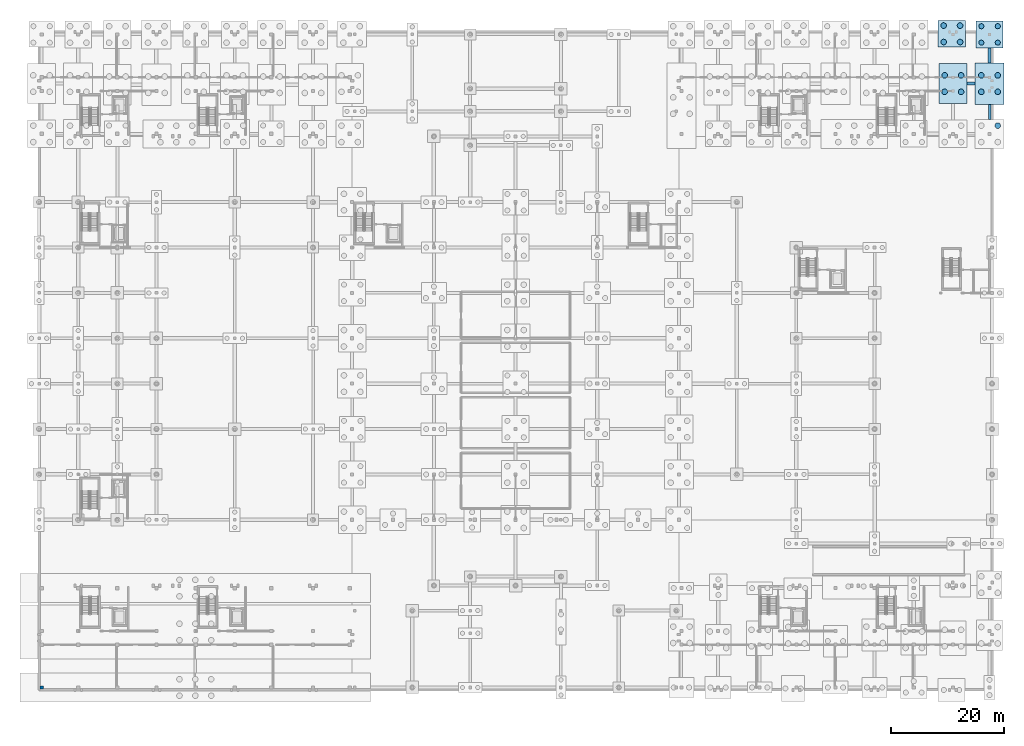
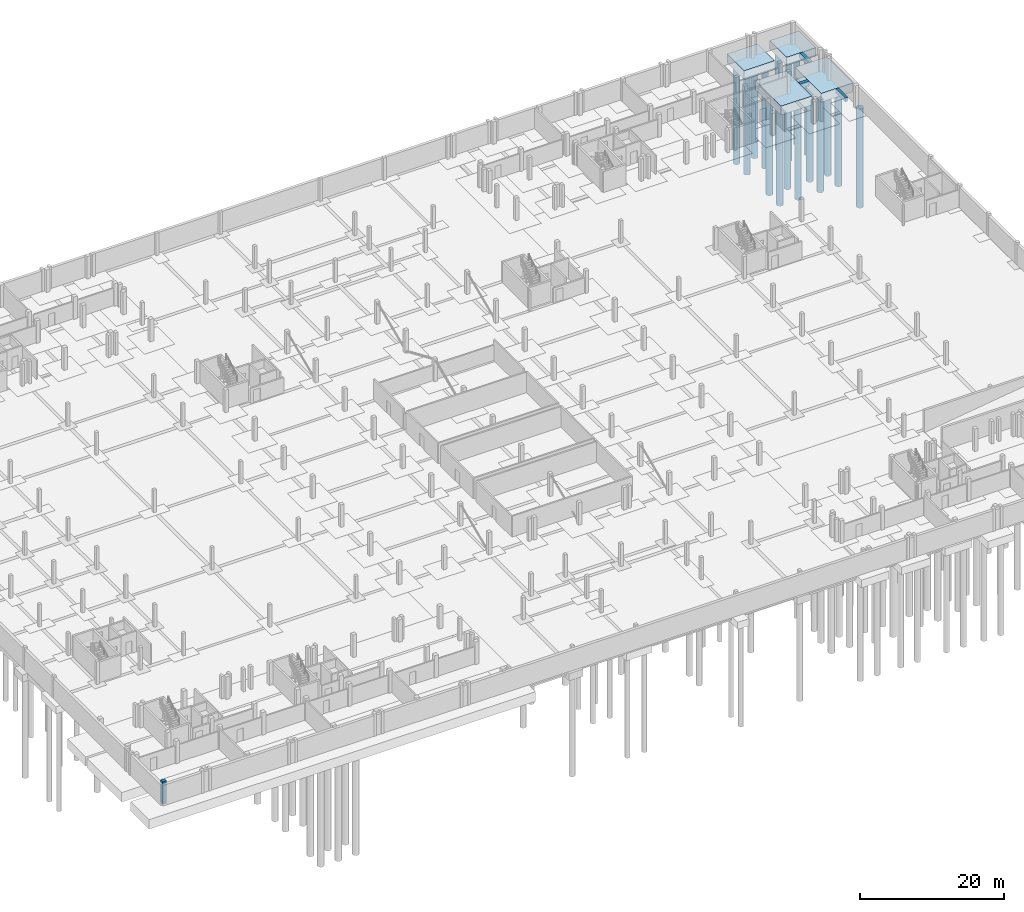
# One storey, part 11 of 38: 17 piles, 7 footings, 1 column.
"""IFC4 building model written with IfcOpenShell, lengths in metres."""

from ifc_helpers import new_model, si_unit, direction, frame, origin, origin_2d, place, context, subcontext, project, spatial, rectangle, circle, extrude, material, material_profile, profile_set, type_object, element, save


model = new_model("IFC4")

# Units and contexts
model_context = context("Model", 3, precision=1e-05, world=origin(), true_north=direction((0.0, 1.0)))
body_context = subcontext(model_context, "Body", "Model", "MODEL_VIEW")
ifc_project = project(units=[si_unit("LENGTHUNIT", "METRE"), si_unit("AREAUNIT", "SQUARE_METRE"), si_unit("VOLUMEUNIT", "CUBIC_METRE"), si_unit("PLANEANGLEUNIT", "RADIAN"), si_unit("MASSUNIT", "GRAM", prefix="KILO")], contexts=[model_context])

# Site, building, storey
site_placement = place(None, origin())
site = spatial("IfcSite", under=ifc_project, at=site_placement, CompositionType="ELEMENT")
building_placement = place(site_placement, origin())
building = spatial("IfcBuilding", under=site, at=building_placement, Name="Zavelmont Quarter", CompositionType="ELEMENT")
storey_placement = place(building_placement, frame((0.0, 0.0, -3.800048828125)))
storey = spatial("IfcBuildingStorey", under=building, at=storey_placement, Name="B01", CompositionType="ELEMENT", Elevation=-3.800048828125)

# Footings
ifc_material_1 = material(Name="Concrete C35/45", Category="concrete")
footing_type_1 = type_object("IfcFootingType", Name="GB03", PredefinedType="FOOTING_BEAM", material=ifc_material_1)
footing_1_placement = place(storey_placement, frame((167.56005859375, 101.919921875, -0.64990234375), z_axis=(0.0, 0.0, 1.0), x_axis=(0.0, 1.0, 0.0)))
element("IfcFooting", 1, at=footing_1_placement, inside=storey, type_object=footing_type_1, Name="B01 ground beam GB03 at 25/Q", PredefinedType="FOOTING_BEAM", context=body_context, shape_type="SweptSolid", body=[
    extrude(rectangle(XDim=2.659912109375, YDim=0.449951171875, at=origin_2d()), origin(), (0.0, 0.0, 1.0), 0.64990234375),
])
footing_type_2 = type_object("IfcFootingType", Name="GB04", PredefinedType="FOOTING_BEAM", material=ifc_material_1)
footing_2_placement = place(storey_placement, frame((164.280029296875, 106.89990234375, -0.75), z_axis=(0.0, 0.0, 1.0), x_axis=(1.0, 0.0, 0.0)))
element("IfcFooting", 2, at=footing_2_placement, inside=storey, type_object=footing_type_2, Name="B01 ground beam GB04 at 24/R", PredefinedType="FOOTING_BEAM", context=body_context, shape_type="SweptSolid", body=[
    extrude(rectangle(XDim=1.4599609375, YDim=0.550048828125, at=origin_2d()), origin(), (0.0, 0.0, 1.0), 0.75),
])
footing_3_placement = place(storey_placement, frame((167.56005859375, 111.8798828125, -0.75), z_axis=(0.0, 0.0, 1.0), x_axis=(0.0, 1.0, 0.0)))
element("IfcFooting", 3, at=footing_3_placement, inside=storey, type_object=footing_type_2, Name="B01 ground beam GB04 at 25/R", PredefinedType="FOOTING_BEAM", context=body_context, shape_type="SweptSolid", body=[
    extrude(rectangle(XDim=2.659912109375, YDim=0.550048828125, at=origin_2d()), origin(), (0.0, 0.0, 1.0), 0.75),
])

# Piles
ifc_material_profile_1 = material_profile(ifc_material_1, circle(Radius=0.5, at=origin_2d()), Name="BP1000")
ifc_profile_set_1 = profile_set([ifc_material_profile_1], Name="Concrete C35/45")
pile_type_1 = type_object("IfcPileType", Name="P01", PredefinedType="BORED", material=ifc_profile_set_1)
for number, where, z_axis, x_axis, name in (
    (4, (169.010009765625, 99.489990234375, -1.39990234375), (0.0, 0.0, -1.0), (1.0, 0.0, 0.0), "B01 bored pile P01 under CAP-180.3"),
    (5, (159.64990234375, 105.449951171875, -1.39990234375), (0.0, 0.0, -1.0), (1.0, 0.0, 0.0), "B01 bored pile P01 under CAP-204.1"),
    (6, (162.550048828125, 105.449951171875, -1.39990234375), (0.0, 0.0, -1.0), (1.0, 0.0, 0.0), "B01 bored pile P01 under CAP-204.2"),
    (7, (162.550048828125, 108.35009765625, -1.39990234375), (0.0, 0.0, -1.0), (1.0, 0.0, 0.0), "B01 bored pile P01 under CAP-204.3"),
    (8, (159.64990234375, 108.35009765625, -1.39990234375), (0.0, 0.0, -1.0), (1.0, 0.0, 0.0), "B01 bored pile P01 under CAP-204.4"),
    (9, (166.110107421875, 105.449951171875, -1.39990234375), (0.0, 0.0, -1.0), (1.0, 0.0, 0.0), "B01 bored pile P01 under CAP-205.1"),
    (10, (169.010009765625, 105.449951171875, -1.39990234375), (0.0, 0.0, -1.0), (1.0, 0.0, 0.0), "B01 bored pile P01 under CAP-205.2"),
    (11, (169.010009765625, 108.35009765625, -1.39990234375), (0.0, 0.0, -1.0), (1.0, 0.0, 0.0), "B01 bored pile P01 under CAP-205.3"),
    (12, (166.110107421875, 108.35009765625, -1.39990234375), (0.0, 0.0, -1.0), (1.0, 0.0, 0.0), "B01 bored pile P01 under CAP-205.4"),
    (13, (159.4599609375, 114.22998046875, -1.39990234375), (0.0, 0.0, -1.0), (1.0, 0.0, 0.0), "B01 bored pile P01 under CAP-227.1"),
    (14, (162.360107421875, 114.22998046875, -1.39990234375), (0.0, 0.0, -1.0), (1.0, 0.0, 0.0), "B01 bored pile P01 under CAP-227.2"),
    (15, (162.360107421875, 117.1298828125, -1.39990234375), (0.0, 0.0, -1.0), (1.0, 0.0, 0.0), "B01 bored pile P01 under CAP-227.3"),
    (16, (159.4599609375, 117.1298828125, -1.39990234375), (0.0, 0.0, -1.0), (1.0, 0.0, 0.0), "B01 bored pile P01 under CAP-227.4"),
):
    element("IfcPile", number, at=place(storey_placement, frame(where, z_axis=z_axis, x_axis=x_axis)), inside=storey, type_object=pile_type_1, Name=name, PredefinedType="BORED", context=body_context, shape_type="SweptSolid", body=[
        extrude(circle(Radius=0.5, at=origin_2d()), origin(), (0.0, 0.0, 1.0), 16.800048828125),
    ])
ifc_material_profile_2 = material_profile(ifc_material_1, circle(Radius=0.449951171875, at=origin_2d()), Name="BP900")
ifc_profile_set_2 = profile_set([ifc_material_profile_2], Name="Concrete C35/45")
pile_type_2 = type_object("IfcPileType", Name="P02", PredefinedType="BORED", material=ifc_profile_set_2)
for number, where, z_axis, x_axis, name in (
    (17, (166.110107421875, 114.110107421875, -1.300048828125), (0.0, 0.0, -1.0), (1.0, 0.0, 0.0), "B01 bored pile P02 under CAP-225.1"),
    (18, (169.010009765625, 114.110107421875, -1.300048828125), (0.0, 0.0, -1.0), (1.0, 0.0, 0.0), "B01 bored pile P02 under CAP-225.2"),
    (19, (169.010009765625, 117.010009765625, -1.300048828125), (0.0, 0.0, -1.0), (1.0, 0.0, 0.0), "B01 bored pile P02 under CAP-225.3"),
    (20, (166.110107421875, 117.010009765625, -1.300048828125), (0.0, 0.0, -1.0), (1.0, 0.0, 0.0), "B01 bored pile P02 under CAP-225.4"),
):
    element("IfcPile", number, at=place(storey_placement, frame(where, z_axis=z_axis, x_axis=x_axis)), inside=storey, type_object=pile_type_2, Name=name, PredefinedType="BORED", context=body_context, shape_type="SweptSolid", body=[
        extrude(circle(Radius=0.449951171875, at=origin_2d()), origin(), (0.0, 0.0, 1.0), 16.89990234375),
    ])

# Footings
footing_type_3 = type_object("IfcFootingType", Name="PC13", PredefinedType="PILE_CAP", material=ifc_material_1)
footing_4_placement = place(storey_placement, frame((167.56005859375, 115.56005859375, -1.39990234375), z_axis=(0.0, 0.0, 1.0), x_axis=(1.0, 0.0, 0.0)))
element("IfcFooting", 21, at=footing_4_placement, inside=storey, type_object=footing_type_3, Name="B01 pile cap PC13 at 25/S", PredefinedType="PILE_CAP", context=body_context, shape_type="SweptSolid", body=[
    extrude(rectangle(XDim=4.699951171875, YDim=4.699951171875, at=origin_2d()), origin(), (0.0, 0.0, 1.0), 1.39990234375),
])
footing_type_4 = type_object("IfcFootingType", Name="PCC488X474", PredefinedType="PILE_CAP", material=ifc_material_1)
footing_5_placement = place(storey_placement, frame((160.909912109375, 115.679931640625, -1.5), z_axis=(0.0, 0.0, 1.0), x_axis=(1.0, 0.0, 0.0)))
element("IfcFooting", 22, at=footing_5_placement, inside=storey, type_object=footing_type_4, Name="B01 pile cap PCC488X474 at 24/S", PredefinedType="PILE_CAP", context=body_context, shape_type="SweptSolid", body=[
    extrude(rectangle(XDim=4.8798828125, YDim=4.739990234375, at=origin_2d()), origin(), (0.0, 0.0, 1.0), 1.5),
])
footing_type_5 = type_object("IfcFootingType", Name="PCC490X710", PredefinedType="PILE_CAP", material=ifc_material_1)
footing_6_placement = place(storey_placement, frame((161.10009765625, 106.89990234375, -1.5), z_axis=(0.0, 0.0, 1.0), x_axis=(1.0, 0.0, 0.0)))
element("IfcFooting", 23, at=footing_6_placement, inside=storey, type_object=footing_type_5, Name="B01 pile cap PCC490X710 at 24/R", PredefinedType="PILE_CAP", context=body_context, shape_type="SweptSolid", body=[
    extrude(rectangle(XDim=4.89990234375, YDim=7.10009765625, at=origin_2d()), origin(), (0.0, 0.0, 1.0), 1.5),
])
footing_type_6 = type_object("IfcFootingType", Name="PCC510X730", PredefinedType="PILE_CAP", material=ifc_material_1)
footing_7_placement = place(storey_placement, frame((167.56005859375, 106.89990234375, -1.5), z_axis=(0.0, 0.0, 1.0), x_axis=(1.0, 0.0, 0.0)))
element("IfcFooting", 24, at=footing_7_placement, inside=storey, type_object=footing_type_6, Name="B01 pile cap PCC510X730 at 25/R", PredefinedType="PILE_CAP", context=body_context, shape_type="SweptSolid", body=[
    extrude(rectangle(XDim=5.10009765625, YDim=7.300048828125, at=origin_2d()), origin(), (0.0, 0.0, 1.0), 1.5),
])

# Column
ifc_material_2 = material(Name="Concrete C40/50", Category="concrete")
ifc_material_profile_3 = material_profile(ifc_material_2, rectangle(XDim=0.60009765625, YDim=0.60009765625, at=origin_2d()), Name="RC600X600")
ifc_profile_set_3 = profile_set([ifc_material_profile_3], Name="Concrete C40/50")
column_type = type_object("IfcColumnType", Name="CL01", PredefinedType="COLUMN", material=ifc_profile_set_3)
column_placement = place(storey_placement, frame((0.43994140625, 0.43994140625, 0.0), z_axis=(0.0, 0.0, 1.0), x_axis=(1.0, 0.0, 0.0)))
element("IfcColumn", 25, at=column_placement, inside=storey, type_object=column_type, Name="B01 column CL01 at 1/A", PredefinedType="COLUMN", context=body_context, shape_type="SweptSolid", body=[
    extrude(rectangle(XDim=0.60009765625, YDim=0.60009765625, at=origin_2d()), origin(), (0.0, 0.0, 1.0), 3.800048828125),
])

save(model, "model.ifc")
